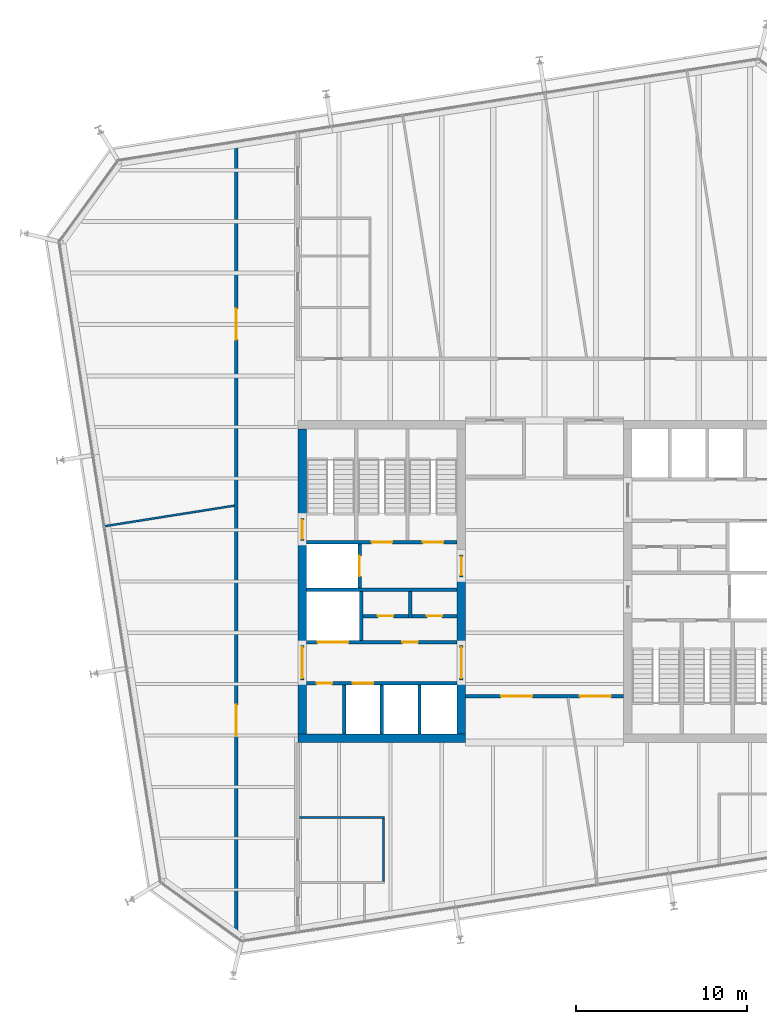
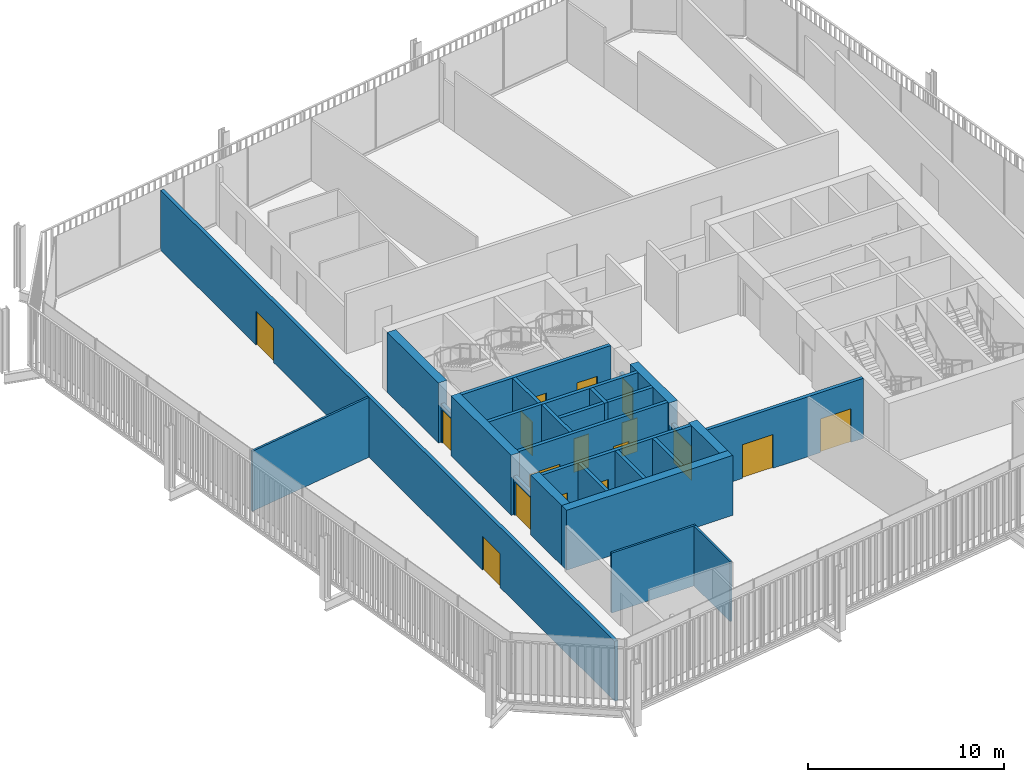
# One storey, part 16 of 20: 26 walls, 17 doors, 17 openings.
"""IFC4 building model written with IfcOpenShell, lengths in metres."""

from ifc_helpers import new_model, si_unit, direction, frame, frame_2d, origin, place, context, subcontext, project, spatial, rectangle, extrude, material, layer, layer_set, type_object, element, fill, save


model = new_model("IFC4")

# Units and contexts
model_context = context("Model", 3, precision=1e-05, world=origin(), true_north=direction((0.0, 1.0)))
body_context = subcontext(model_context, "Body", "Model", "MODEL_VIEW")
ifc_project = project(units=[si_unit("LENGTHUNIT", "METRE"), si_unit("AREAUNIT", "SQUARE_METRE"), si_unit("VOLUMEUNIT", "CUBIC_METRE"), si_unit("PLANEANGLEUNIT", "RADIAN"), si_unit("MASSUNIT", "GRAM", prefix="KILO")], contexts=[model_context])

# Site, building, storey
site_placement = place(None, origin())
site = spatial("IfcSite", under=ifc_project, at=site_placement, CompositionType="ELEMENT")
building_placement = place(site_placement, origin())
building = spatial("IfcBuilding", under=site, at=building_placement, Name="Millrace Tower", CompositionType="ELEMENT")
storey_placement = place(building_placement, frame((0.0, 0.0, 216.39990234375)))
storey = spatial("IfcBuildingStorey", under=building, at=storey_placement, Name="L49", CompositionType="ELEMENT", Elevation=216.39990234375)

# Walls
ifc_material_1 = material(Name="Concrete C60", Category="concrete")
ifc_layer_1 = layer(ifc_material_1, 0.5)
ifc_layer_set_1 = layer_set([ifc_layer_1], Name="Concrete C60")
wall_type_1 = type_object("IfcWallType", Name="Core wall 500 Concrete C60", PredefinedType="SHEAR", material=ifc_layer_set_1)
wall_1_placement = place(storey_placement, frame((-14.39990234375, -9.14990234375, 0.0), z_axis=(0.0, 0.0, 1.0), x_axis=(1.0, 0.0, 0.0)))
element("IfcWall", 1, at=wall_1_placement, inside=storey, type_object=wall_type_1, Name="Core wall W L49", PredefinedType="SHEAR", context=body_context, shape_type="SweptSolid", body=[
    extrude(rectangle(XDim=9.7998046875, YDim=0.5, at=frame_2d((4.89990234375, 0.0))), origin(), (0.0, 0.0, 1.0), 3.739990234375),
])
wall_2_placement = place(storey_placement, frame((-14.14990234375, -8.89990234375, 0.0), z_axis=(0.0, 0.0, 1.0), x_axis=(0.0, 1.0, 0.0)))
element("IfcWall", 2, at=wall_2_placement, inside=storey, type_object=wall_type_1, Name="Core wall W L49", PredefinedType="SHEAR", context=body_context, shape_type="SweptSolid", body=[
    extrude(rectangle(XDim=3.14990234375, YDim=0.5, at=frame_2d((1.574951171875, 0.0))), origin(), (0.0, 0.0, 1.0), 3.739990234375),
])
wall_3_placement = place(storey_placement, frame((-14.14990234375, -3.75, 0.0), z_axis=(0.0, 0.0, 1.0), x_axis=(0.0, 1.0, 0.0)))
element("IfcWall", 3, at=wall_3_placement, inside=storey, type_object=wall_type_1, Name="Core wall W L49", PredefinedType="SHEAR", context=body_context, shape_type="SweptSolid", body=[
    extrude(rectangle(XDim=6.1298828125, YDim=0.5, at=frame_2d((3.06494140625, 0.0))), origin(), (0.0, 0.0, 1.0), 3.739990234375),
])
wall_4_placement = place(storey_placement, frame((-14.14990234375, 3.679931640625, 0.0), z_axis=(0.0, 0.0, 1.0), x_axis=(0.0, 1.0, 0.0)))
element("IfcWall", 4, at=wall_4_placement, inside=storey, type_object=wall_type_1, Name="Core wall W L49", PredefinedType="SHEAR", context=body_context, shape_type="SweptSolid", body=[
    extrude(rectangle(XDim=5.219970703125, YDim=0.5, at=frame_2d((2.60986328125, 0.0))), origin(), (0.0, 0.0, 1.0), 3.739990234375),
])
wall_5_placement = place(storey_placement, frame((-4.85009765625, -8.89990234375, 0.0), z_axis=(0.0, 0.0, 1.0), x_axis=(0.0, 1.0, 0.0)))
element("IfcWall", 5, at=wall_5_placement, inside=storey, type_object=wall_type_1, Name="Core wall W L49", PredefinedType="SHEAR", context=body_context, shape_type="SweptSolid", body=[
    extrude(rectangle(XDim=3.14990234375, YDim=0.5, at=frame_2d((1.574951171875, 0.0))), origin(), (0.0, 0.0, 1.0), 3.739990234375),
])
wall_6_placement = place(storey_placement, frame((-4.85009765625, -3.75, 0.0), z_axis=(0.0, 0.0, 1.0), x_axis=(0.0, 1.0, 0.0)))
element("IfcWall", 6, at=wall_6_placement, inside=storey, type_object=wall_type_1, Name="Core wall W L49", PredefinedType="SHEAR", context=body_context, shape_type="SweptSolid", body=[
    extrude(rectangle(XDim=4.0, YDim=0.5, at=frame_2d((2.0, 0.0))), origin(), (0.0, 0.0, 1.0), 3.739990234375),
])

# Wall, openings, doors
ifc_material_2 = material(Name="Masonry partition, fire-rated", Category="masonry")
ifc_layer_2 = layer(ifc_material_2, 0.199951171875)
ifc_layer_set_2 = layer_set([ifc_layer_2], Name="Masonry partition, fire-rated")
wall_type_2 = type_object("IfcWallType", Name="Corridor wall 200", PredefinedType="PARTITIONING", material=ifc_layer_set_2)
wall_7_placement = place(storey_placement, frame((-4.60009765625, -6.699951171875, 0.0), z_axis=(0.0, 0.0, 1.0), x_axis=(1.0, 0.0, 0.0)))
wall_7 = element("IfcWall", 7, at=wall_7_placement, inside=storey, type_object=wall_type_2, Name="Corridor wall L49", PredefinedType="PARTITIONING", context=body_context, shape_type="SweptSolid", body=[
    extrude(rectangle(XDim=9.2001953125, YDim=0.199951171875, at=frame_2d((4.60009765625, 0.0))), origin(), (0.0, 0.0, 1.0), 3.739990234375),
])
opening_1_placement = place(wall_7_placement, frame((2.070068359375, 0.0, 0.0)))
opening_1 = element("IfcOpeningElement", 8, at=opening_1_placement, cuts=wall_7, Name="Opening 49-P014", PredefinedType="OPENING", context=body_context, shape_type="SweptSolid", body=[
    extrude(rectangle(XDim=1.800048828125, YDim=2.10009765625, at=frame_2d((0.89990234375, 1.050048828125))), frame((0.0, 0.10986328125, 0.0), z_axis=(0.0, -1.0, 0.0), x_axis=(1.0, 0.0, 0.0)), (0.0, 0.0, 1.0), 0.219970703125),
])
opening_2_placement = place(wall_7_placement, frame((6.669921875, 0.0, 0.0)))
opening_2 = element("IfcOpeningElement", 9, at=opening_2_placement, cuts=wall_7, Name="Opening 49-P017", PredefinedType="OPENING", context=body_context, shape_type="SweptSolid", body=[
    extrude(rectangle(XDim=1.800048828125, YDim=2.10009765625, at=frame_2d((0.89990234375, 1.050048828125))), frame((0.0, 0.10986328125, 0.0), z_axis=(0.0, -1.0, 0.0), x_axis=(1.0, 0.0, 0.0)), (0.0, 0.0, 1.0), 0.219970703125),
])
ifc_material_3 = material(Name="Steel door set, fire-rated", Category="steel")
door_type_1 = type_object("IfcDoorType", Name="Corridor door 1800 x 2100", OperationType="DOUBLE_DOOR_SINGLE_SWING", PredefinedType="DOOR", material=ifc_material_3)
door_1_placement = place(opening_1_placement, origin())
door_1 = element("IfcDoor", 10, at=door_1_placement, inside=storey, type_object=door_type_1, Name="Door 49-P014", OperationType="DOUBLE_DOOR_SINGLE_SWING", OverallHeight=2.10009765625, OverallWidth=1.800048828125, PredefinedType="DOOR", context=body_context, shape_type="SweptSolid", body=[
    extrude(rectangle(XDim=1.800048828125, YDim=2.10009765625, at=frame_2d((0.89990234375, 1.050048828125))), frame((0.0, 0.02490234375, 0.0), z_axis=(0.0, -1.0, 0.0), x_axis=(1.0, 0.0, 0.0)), (0.0, 0.0, 1.0), 0.050048828125),
])
fill(opening_1, door_1)
door_2_placement = place(opening_2_placement, frame((1.800048828125, 0.0, 0.0), z_axis=(0.0, 0.0, 1.0), x_axis=(-1.0, 0.0, 0.0)))
door_2 = element("IfcDoor", 11, at=door_2_placement, inside=storey, type_object=door_type_1, Name="Door 49-P017", OperationType="DOUBLE_DOOR_SINGLE_SWING", OverallHeight=2.10009765625, OverallWidth=1.800048828125, PredefinedType="DOOR", context=body_context, shape_type="SweptSolid", body=[
    extrude(rectangle(XDim=1.800048828125, YDim=2.10009765625, at=frame_2d((0.89990234375, 1.050048828125))), frame((0.0, 0.02490234375, 0.0), z_axis=(0.0, -1.0, 0.0), x_axis=(1.0, 0.0, 0.0)), (0.0, 0.0, 1.0), 0.050048828125),
])
fill(opening_2, door_2)

wall_8_placement = place(storey_placement, frame((-18.0, -20.72021484375, 0.0), z_axis=(0.0, 0.0, 1.0), x_axis=(0.0, 1.0, 0.0)))
wall_8 = element("IfcWall", 12, at=wall_8_placement, inside=storey, type_object=wall_type_2, Name="Corridor wall L49", PredefinedType="PARTITIONING", context=body_context, shape_type="SweptSolid", body=[
    extrude(rectangle(XDim=46.34814453125, YDim=0.199951171875, at=frame_2d((23.174072265625, 0.0))), origin(), (0.0, 0.0, 1.0), 3.739990234375),
])
opening_3_placement = place(wall_8_placement, frame((11.709716796875, 0.0, 0.0)))
opening_3 = element("IfcOpeningElement", 13, at=opening_3_placement, cuts=wall_8, Name="Opening 49-P003", PredefinedType="OPENING", context=body_context, shape_type="SweptSolid", body=[
    extrude(rectangle(XDim=1.800048828125, YDim=2.10009765625, at=frame_2d((0.89990234375, 1.050048828125))), frame((0.0, 0.10986328125, 0.0), z_axis=(0.0, -1.0, 0.0), x_axis=(1.0, 0.0, 0.0)), (0.0, 0.0, 1.0), 0.219970703125),
])
opening_4_placement = place(wall_8_placement, frame((34.8271484375, 0.0, 0.0)))
opening_4 = element("IfcOpeningElement", 14, at=opening_4_placement, cuts=wall_8, Name="Opening 49-P004", PredefinedType="OPENING", context=body_context, shape_type="SweptSolid", body=[
    extrude(rectangle(XDim=1.800048828125, YDim=2.10009765625, at=frame_2d((0.89990234375, 1.050048828125))), frame((0.0, 0.10986328125, 0.0), z_axis=(0.0, -1.0, 0.0), x_axis=(1.0, 0.0, 0.0)), (0.0, 0.0, 1.0), 0.219970703125),
])
door_3_placement = place(opening_3_placement, origin())
door_3 = element("IfcDoor", 15, at=door_3_placement, inside=storey, type_object=door_type_1, Name="Door 49-P003", OperationType="DOUBLE_DOOR_SINGLE_SWING", OverallHeight=2.10009765625, OverallWidth=1.800048828125, PredefinedType="DOOR", context=body_context, shape_type="SweptSolid", body=[
    extrude(rectangle(XDim=1.800048828125, YDim=2.10009765625, at=frame_2d((0.89990234375, 1.050048828125))), frame((0.0, 0.02490234375, 0.0), z_axis=(0.0, -1.0, 0.0), x_axis=(1.0, 0.0, 0.0)), (0.0, 0.0, 1.0), 0.050048828125),
])
fill(opening_3, door_3)
door_4_placement = place(opening_4_placement, frame((1.800048828125, 0.0, 0.0), z_axis=(0.0, 0.0, 1.0), x_axis=(-1.0, 0.0, 0.0)))
door_4 = element("IfcDoor", 16, at=door_4_placement, inside=storey, type_object=door_type_1, Name="Door 49-P004", OperationType="DOUBLE_DOOR_SINGLE_SWING", OverallHeight=2.10009765625, OverallWidth=1.800048828125, PredefinedType="DOOR", context=body_context, shape_type="SweptSolid", body=[
    extrude(rectangle(XDim=1.800048828125, YDim=2.10009765625, at=frame_2d((0.89990234375, 1.050048828125))), frame((0.0, 0.02490234375, 0.0), z_axis=(0.0, -1.0, 0.0), x_axis=(1.0, 0.0, 0.0)), (0.0, 0.0, 1.0), 0.050048828125),
])
fill(opening_4, door_4)

ifc_material_4 = material(Name="Masonry partition, fire-rated", Category="masonry")
ifc_layer_3 = layer(ifc_material_4, 0.199951171875)
ifc_layer_set_3 = layer_set([ifc_layer_3], Name="Masonry partition, fire-rated")
wall_type_3 = type_object("IfcWallType", Name="Lift shaft wall 200", PredefinedType="PARTITIONING", material=ifc_layer_set_3)
wall_9_placement = place(storey_placement, frame((-13.89990234375, -5.949951171875, 0.0), z_axis=(0.0, 0.0, 1.0), x_axis=(1.0, 0.0, 0.0)))
wall_9 = element("IfcWall", 17, at=wall_9_placement, inside=storey, type_object=wall_type_3, Name="Lift shaft wall W L49", PredefinedType="PARTITIONING", context=body_context, shape_type="SweptSolid", body=[
    extrude(rectangle(XDim=8.7998046875, YDim=0.199951171875, at=frame_2d((4.39990234375, 0.0))), origin(), (0.0, 0.0, 1.0), 3.739990234375),
])
opening_5_placement = place(wall_9_placement, frame((2.699951171875, 0.0, 0.0)))
opening_5 = element("IfcOpeningElement", 18, at=opening_5_placement, cuts=wall_9, Name="Opening 49-LD02", PredefinedType="OPENING", context=body_context, shape_type="SweptSolid", body=[
    extrude(rectangle(XDim=1.199951171875, YDim=2.10009765625, at=frame_2d((0.60009765625, 1.050048828125))), frame((0.0, 0.10986328125, 0.0), z_axis=(0.0, -1.0, 0.0), x_axis=(1.0, 0.0, 0.0)), (0.0, 0.0, 1.0), 0.219970703125),
])
opening_6_placement = place(wall_9_placement, frame((0.60009765625, 0.0, 0.0)))
opening_6 = element("IfcOpeningElement", 19, at=opening_6_placement, cuts=wall_9, Name="Opening 49-C005", PredefinedType="OPENING", context=body_context, shape_type="SweptSolid", body=[
    extrude(rectangle(XDim=0.89990234375, YDim=2.10009765625, at=frame_2d((0.449951171875, 1.050048828125))), frame((0.0, 0.10986328125, 0.0), z_axis=(0.0, -1.0, 0.0), x_axis=(1.0, 0.0, 0.0)), (0.0, 0.0, 1.0), 0.219970703125),
])
ifc_material_5 = material(Name="Stainless steel, fire-rated", Category="steel")
door_type_2 = type_object("IfcDoorType", Name="Lift landing door 1200 x 2100", OperationType="DOUBLE_DOOR_SLIDING", PredefinedType="DOOR", material=ifc_material_5)
door_5_placement = place(opening_5_placement, origin())
door_5 = element("IfcDoor", 20, at=door_5_placement, inside=storey, type_object=door_type_2, Name="Lift landing door LF2 L49", OperationType="DOUBLE_DOOR_SLIDING", OverallHeight=2.10009765625, OverallWidth=1.199951171875, PredefinedType="DOOR", context=body_context, shape_type="SweptSolid", body=[
    extrude(rectangle(XDim=1.199951171875, YDim=2.10009765625, at=frame_2d((0.60009765625, 1.050048828125))), frame((0.0, 0.02490234375, 0.0), z_axis=(0.0, -1.0, 0.0), x_axis=(1.0, 0.0, 0.0)), (0.0, 0.0, 1.0), 0.050048828125),
])
fill(opening_5, door_5)
ifc_material_6 = material(Name="Steel door, fire-rated", Category="steel")
door_type_3 = type_object("IfcDoorType", Name="Service room door 900 x 2100", OperationType="SINGLE_SWING_LEFT", PredefinedType="DOOR", material=ifc_material_6)
door_6_placement = place(opening_6_placement, frame((0.89990234375, 0.0, 0.0), z_axis=(0.0, 0.0, 1.0), x_axis=(-1.0, 0.0, 0.0)))
door_6 = element("IfcDoor", 21, at=door_6_placement, inside=storey, type_object=door_type_3, Name="Service room door 49-C005", OperationType="SINGLE_SWING_RIGHT", OverallHeight=2.10009765625, OverallWidth=0.89990234375, PredefinedType="DOOR", context=body_context, shape_type="SweptSolid", body=[
    extrude(rectangle(XDim=0.89990234375, YDim=2.10009765625, at=frame_2d((0.449951171875, 1.050048828125))), frame((0.0, 0.02490234375, 0.0), z_axis=(0.0, -1.0, 0.0), x_axis=(1.0, 0.0, 0.0)), (0.0, 0.0, 1.0), 0.050048828125),
])
fill(opening_6, door_6)

wall_10_placement = place(storey_placement, frame((-13.89990234375, -3.550048828125, 0.0), z_axis=(0.0, 0.0, 1.0), x_axis=(1.0, 0.0, 0.0)))
wall_10 = element("IfcWall", 22, at=wall_10_placement, inside=storey, type_object=wall_type_3, Name="Lift shaft wall W L49", PredefinedType="PARTITIONING", context=body_context, shape_type="SweptSolid", body=[
    extrude(rectangle(XDim=8.7998046875, YDim=0.199951171875, at=frame_2d((4.39990234375, 0.0))), origin(), (0.0, 0.0, 1.0), 3.739990234375),
])
opening_7_placement = place(wall_10_placement, frame((0.64990234375, 0.0, 0.0)))
opening_7 = element("IfcOpeningElement", 23, at=opening_7_placement, cuts=wall_10, Name="Opening 49-LD05", PredefinedType="OPENING", context=body_context, shape_type="SweptSolid", body=[
    extrude(rectangle(XDim=1.800048828125, YDim=2.10009765625, at=frame_2d((0.89990234375, 1.050048828125))), frame((0.0, 0.10986328125, 0.0), z_axis=(0.0, -1.0, 0.0), x_axis=(1.0, 0.0, 0.0)), (0.0, 0.0, 1.0), 0.219970703125),
])
opening_8_placement = place(wall_10_placement, frame((5.60009765625, 0.0, 0.0)))
opening_8 = element("IfcOpeningElement", 24, at=opening_8_placement, cuts=wall_10, Name="Opening 49-C006", PredefinedType="OPENING", context=body_context, shape_type="SweptSolid", body=[
    extrude(rectangle(XDim=0.89990234375, YDim=2.10009765625, at=frame_2d((0.449951171875, 1.050048828125))), frame((0.0, 0.10986328125, 0.0), z_axis=(0.0, -1.0, 0.0), x_axis=(1.0, 0.0, 0.0)), (0.0, 0.0, 1.0), 0.219970703125),
])
ifc_material_7 = material(Name="Stainless steel, fire-rated", Category="steel")
door_type_4 = type_object("IfcDoorType", Name="Lift landing door 1800 x 2100", OperationType="DOUBLE_DOOR_SLIDING", PredefinedType="DOOR", material=ifc_material_7)
door_7_placement = place(opening_7_placement, origin())
door_7 = element("IfcDoor", 25, at=door_7_placement, inside=storey, type_object=door_type_4, Name="Lift landing door LF5 L49", OperationType="DOUBLE_DOOR_SLIDING", OverallHeight=2.10009765625, OverallWidth=1.800048828125, PredefinedType="DOOR", context=body_context, shape_type="SweptSolid", body=[
    extrude(rectangle(XDim=1.800048828125, YDim=2.10009765625, at=frame_2d((0.89990234375, 1.050048828125))), frame((0.0, 0.02490234375, 0.0), z_axis=(0.0, -1.0, 0.0), x_axis=(1.0, 0.0, 0.0)), (0.0, 0.0, 1.0), 0.050048828125),
])
fill(opening_7, door_7)
door_8_placement = place(opening_8_placement, frame((0.89990234375, 0.0, 0.0), z_axis=(0.0, 0.0, 1.0), x_axis=(-1.0, 0.0, 0.0)))
door_8 = element("IfcDoor", 26, at=door_8_placement, inside=storey, type_object=door_type_3, Name="Service room door 49-C006", OperationType="SINGLE_SWING_LEFT", OverallHeight=2.10009765625, OverallWidth=0.89990234375, PredefinedType="DOOR", context=body_context, shape_type="SweptSolid", body=[
    extrude(rectangle(XDim=0.89990234375, YDim=2.10009765625, at=frame_2d((0.449951171875, 1.050048828125))), frame((0.0, 0.02490234375, 0.0), z_axis=(0.0, -1.0, 0.0), x_axis=(1.0, 0.0, 0.0)), (0.0, 0.0, 1.0), 0.050048828125),
])
fill(opening_8, door_8)

# Wall
wall_11_placement = place(storey_placement, frame((-13.89990234375, -0.5, 0.0), z_axis=(0.0, 0.0, 1.0), x_axis=(1.0, 0.0, 0.0)))
element("IfcWall", 27, at=wall_11_placement, inside=storey, type_object=wall_type_3, Name="Lift shaft wall W L49", PredefinedType="PARTITIONING", context=body_context, shape_type="SweptSolid", body=[
    extrude(rectangle(XDim=8.7998046875, YDim=0.199951171875, at=frame_2d((4.39990234375, 0.0))), origin(), (0.0, 0.0, 1.0), 3.739990234375),
])

# Wall, opening, door
wall_12_placement = place(storey_placement, frame((-10.800048828125, -0.39990234375, 0.0), z_axis=(0.0, 0.0, 1.0), x_axis=(0.0, 1.0, 0.0)))
wall_12 = element("IfcWall", 28, at=wall_12_placement, inside=storey, type_object=wall_type_3, Name="Lift shaft wall W L49", PredefinedType="PARTITIONING", context=body_context, shape_type="SweptSolid", body=[
    extrude(rectangle(XDim=2.579833984375, YDim=0.199951171875, at=frame_2d((1.2900390625, 0.0))), origin(), (0.0, 0.0, 1.0), 3.739990234375),
])
opening_9_placement = place(wall_12_placement, frame((0.68994140625, 0.0, 0.0)))
opening_9 = element("IfcOpeningElement", 29, at=opening_9_placement, cuts=wall_12, Name="Opening 49-LD08", PredefinedType="OPENING", context=body_context, shape_type="SweptSolid", body=[
    extrude(rectangle(XDim=1.199951171875, YDim=2.10009765625, at=frame_2d((0.60009765625, 1.050048828125))), frame((0.0, 0.10986328125, 0.0), z_axis=(0.0, -1.0, 0.0), x_axis=(1.0, 0.0, 0.0)), (0.0, 0.0, 1.0), 0.219970703125),
])
door_9_placement = place(opening_9_placement, origin())
door_9 = element("IfcDoor", 30, at=door_9_placement, inside=storey, type_object=door_type_2, Name="Lift landing door LF8 L49", OperationType="DOUBLE_DOOR_SLIDING", OverallHeight=2.10009765625, OverallWidth=1.199951171875, PredefinedType="DOOR", context=body_context, shape_type="SweptSolid", body=[
    extrude(rectangle(XDim=1.199951171875, YDim=2.10009765625, at=frame_2d((0.60009765625, 1.050048828125))), frame((0.0, 0.02490234375, 0.0), z_axis=(0.0, -1.0, 0.0), x_axis=(1.0, 0.0, 0.0)), (0.0, 0.0, 1.0), 0.050048828125),
])
fill(opening_9, door_9)

# Walls
for number, where, z_axis, x_axis, name in (
    (31, (-11.699951171875, -8.89990234375, 0.0), (0.0, 0.0, 1.0), (0.0, 1.0, 0.0), "Lift shaft wall W L49"),
    (32, (-9.5, -8.89990234375, 0.0), (0.0, 0.0, 1.0), (0.0, 1.0, 0.0), "Lift shaft wall W L49"),
    (33, (-7.300048828125, -8.89990234375, 0.0), (0.0, 0.0, 1.0), (0.0, 1.0, 0.0), "Lift shaft wall W L49"),
    (34, (-10.699951171875, -3.449951171875, 0.0), (0.0, 0.0, 1.0), (0.0, 1.0, 0.0), "Lift shaft wall W L49"),
):
    element("IfcWall", number, at=place(storey_placement, frame(where, z_axis=z_axis, x_axis=x_axis)), inside=storey, type_object=wall_type_3, Name=name, PredefinedType="PARTITIONING", context=body_context, shape_type="SweptSolid", body=[
        extrude(rectangle(XDim=2.849853515625, YDim=0.199951171875, at=frame_2d((1.4248046875, 0.0))), origin(), (0.0, 0.0, 1.0), 3.739990234375),
    ])

# Wall, opening, door
ifc_material_8 = material(Name="Masonry partition, fire-rated", Category="masonry")
ifc_layer_4 = layer(ifc_material_8, 0.199951171875)
ifc_layer_set_4 = layer_set([ifc_layer_4], Name="Masonry partition, fire-rated")
wall_type_4 = type_object("IfcWallType", Name="Lobby wall 200", PredefinedType="PARTITIONING", material=ifc_layer_set_4)
wall_13_placement = place(storey_placement, frame((-14.14990234375, -5.75, 0.0), z_axis=(0.0, 0.0, 1.0), x_axis=(0.0, 1.0, 0.0)))
wall_13 = element("IfcWall", 35, at=wall_13_placement, inside=storey, type_object=wall_type_4, Name="Lobby wall W L49", PredefinedType="PARTITIONING", context=body_context, shape_type="SweptSolid", body=[
    extrude(rectangle(XDim=2.0, YDim=0.199951171875, at=frame_2d((1.0, 0.0))), origin(), (0.0, 0.0, 1.0), 2.400146484375),
])
opening_10_placement = place(wall_13_placement, frame((0.10009765625, 0.0, 0.0)))
opening_10 = element("IfcOpeningElement", 36, at=opening_10_placement, cuts=wall_13, Name="Opening 49-C001", PredefinedType="OPENING", context=body_context, shape_type="SweptSolid", body=[
    extrude(rectangle(XDim=1.800048828125, YDim=2.10009765625, at=frame_2d((0.89990234375, 1.050048828125))), frame((0.0, 0.10986328125, 0.0), z_axis=(0.0, -1.0, 0.0), x_axis=(1.0, 0.0, 0.0)), (0.0, 0.0, 1.0), 0.219970703125),
])
ifc_material_9 = material(Name="Steel door, fire-rated", Category="steel")
door_type_5 = type_object("IfcDoorType", Name="Lobby door 1800 x 2100", OperationType="DOUBLE_DOOR_SINGLE_SWING", PredefinedType="DOOR", material=ifc_material_9)
door_10_placement = place(opening_10_placement, origin())
door_10 = element("IfcDoor", 37, at=door_10_placement, inside=storey, type_object=door_type_5, Name="Lobby door 49-C001", OperationType="DOUBLE_DOOR_SINGLE_SWING", OverallHeight=2.10009765625, OverallWidth=1.800048828125, PredefinedType="DOOR", context=body_context, shape_type="SweptSolid", body=[
    extrude(rectangle(XDim=1.800048828125, YDim=2.10009765625, at=frame_2d((0.89990234375, 1.050048828125))), frame((0.0, 0.02490234375, 0.0), z_axis=(0.0, -1.0, 0.0), x_axis=(1.0, 0.0, 0.0)), (0.0, 0.0, 1.0), 0.050048828125),
])
fill(opening_10, door_10)

wall_14_placement = place(storey_placement, frame((-4.85009765625, -5.75, 0.0), z_axis=(0.0, 0.0, 1.0), x_axis=(0.0, 1.0, 0.0)))
wall_14 = element("IfcWall", 38, at=wall_14_placement, inside=storey, type_object=wall_type_4, Name="Lobby wall W L49", PredefinedType="PARTITIONING", context=body_context, shape_type="SweptSolid", body=[
    extrude(rectangle(XDim=2.0, YDim=0.199951171875, at=frame_2d((1.0, 0.0))), origin(), (0.0, 0.0, 1.0), 2.400146484375),
])
opening_11_placement = place(wall_14_placement, frame((0.10009765625, 0.0, 0.0)))
opening_11 = element("IfcOpeningElement", 39, at=opening_11_placement, cuts=wall_14, Name="Opening 49-C003", PredefinedType="OPENING", context=body_context, shape_type="SweptSolid", body=[
    extrude(rectangle(XDim=1.800048828125, YDim=2.10009765625, at=frame_2d((0.89990234375, 1.050048828125))), frame((0.0, 0.10986328125, 0.0), z_axis=(0.0, -1.0, 0.0), x_axis=(1.0, 0.0, 0.0)), (0.0, 0.0, 1.0), 0.219970703125),
])
door_11_placement = place(opening_11_placement, frame((1.800048828125, 0.0, 0.0), z_axis=(0.0, 0.0, 1.0), x_axis=(-1.0, 0.0, 0.0)))
door_11 = element("IfcDoor", 40, at=door_11_placement, inside=storey, type_object=door_type_5, Name="Lobby door 49-C003", OperationType="DOUBLE_DOOR_SINGLE_SWING", OverallHeight=2.10009765625, OverallWidth=1.800048828125, PredefinedType="DOOR", context=body_context, shape_type="SweptSolid", body=[
    extrude(rectangle(XDim=1.800048828125, YDim=2.10009765625, at=frame_2d((0.89990234375, 1.050048828125))), frame((0.0, 0.02490234375, 0.0), z_axis=(0.0, -1.0, 0.0), x_axis=(1.0, 0.0, 0.0)), (0.0, 0.0, 1.0), 0.050048828125),
])
fill(opening_11, door_11)

wall_15_placement = place(storey_placement, frame((-4.85009765625, 0.25, 0.0), z_axis=(0.0, 0.0, 1.0), x_axis=(0.0, 1.0, 0.0)))
wall_15 = element("IfcWall", 41, at=wall_15_placement, inside=storey, type_object=wall_type_4, Name="Lobby wall W L49", PredefinedType="PARTITIONING", context=body_context, shape_type="SweptSolid", body=[
    extrude(rectangle(XDim=1.300048828125, YDim=0.199951171875, at=frame_2d((0.64990234375, 0.0))), origin(), (0.0, 0.0, 1.0), 2.400146484375),
])
opening_12_placement = place(wall_15_placement, frame((0.10009765625, 0.0, 0.0)))
opening_12 = element("IfcOpeningElement", 42, at=opening_12_placement, cuts=wall_15, Name="Opening 49-C004", PredefinedType="OPENING", context=body_context, shape_type="SweptSolid", body=[
    extrude(rectangle(XDim=1.10009765625, YDim=2.10009765625, at=frame_2d((0.550048828125, 1.050048828125))), frame((0.0, 0.10986328125, 0.0), z_axis=(0.0, -1.0, 0.0), x_axis=(1.0, 0.0, 0.0)), (0.0, 0.0, 1.0), 0.219970703125),
])
ifc_material_10 = material(Name="Steel door, fire-rated", Category="steel")
door_type_6 = type_object("IfcDoorType", Name="Lobby door 1100 x 2100", OperationType="SINGLE_SWING_LEFT", PredefinedType="DOOR", material=ifc_material_10)
door_12_placement = place(opening_12_placement, frame((1.10009765625, 0.0, 0.0), z_axis=(0.0, 0.0, 1.0), x_axis=(-1.0, 0.0, 0.0)))
door_12 = element("IfcDoor", 43, at=door_12_placement, inside=storey, type_object=door_type_6, Name="Lobby door 49-C004", OperationType="SINGLE_SWING_RIGHT", OverallHeight=2.10009765625, OverallWidth=1.10009765625, PredefinedType="DOOR", context=body_context, shape_type="SweptSolid", body=[
    extrude(rectangle(XDim=1.10009765625, YDim=2.10009765625, at=frame_2d((0.550048828125, 1.050048828125))), frame((0.0, 0.02490234375, 0.0), z_axis=(0.0, -1.0, 0.0), x_axis=(1.0, 0.0, 0.0)), (0.0, 0.0, 1.0), 0.050048828125),
])
fill(opening_12, door_12)

# Walls
ifc_material_11 = material(Name="Gypsum board partition")
ifc_layer_5 = layer(ifc_material_11, 0.1201171875)
ifc_layer_set_5 = layer_set([ifc_layer_5], Name="Gypsum board partition")
wall_type_5 = type_object("IfcWallType", Name="Partition wall 120", PredefinedType="PARTITIONING", material=ifc_layer_set_5)
wall_16_placement = place(storey_placement, frame((-14.300048828125, -13.784912109375, 0.0), z_axis=(0.0, 0.0, 1.0), x_axis=(1.0, 0.0, 0.0)))
element("IfcWall", 44, at=wall_16_placement, inside=storey, type_object=wall_type_5, Name="Partition wall L49", PredefinedType="PARTITIONING", context=body_context, shape_type="SweptSolid", body=[
    extrude(rectangle(XDim=4.9599609375, YDim=0.1201171875, at=frame_2d((2.47998046875, 0.0))), origin(), (0.0, 0.0, 1.0), 3.739990234375),
])
wall_17_placement = place(storey_placement, frame((-25.675048828125, 3.22119140625, 0.0), z_axis=(0.0, 0.0, 1.0), x_axis=(0.98768335333, 0.156465950147, 0.0)))
element("IfcWall", 45, at=wall_17_placement, inside=storey, type_object=wall_type_5, Name="Partition wall L49", PredefinedType="PARTITIONING", context=body_context, shape_type="SweptSolid", body=[
    extrude(rectangle(XDim=7.670654296875, YDim=0.1201171875, at=frame_2d((3.83544921875, 0.0))), origin(), (0.0, 0.0, 1.0), 3.739990234375),
])
wall_18_placement = place(storey_placement, frame((-9.39990234375, -17.52490234375, 0.0), z_axis=(0.0, 0.0, 1.0), x_axis=(0.0, 1.0, 0.0)))
element("IfcWall", 46, at=wall_18_placement, inside=storey, type_object=wall_type_5, Name="Partition wall L49", PredefinedType="PARTITIONING", context=body_context, shape_type="SweptSolid", body=[
    extrude(rectangle(XDim=3.679931640625, YDim=0.1201171875, at=frame_2d((1.83984375, 0.0))), origin(), (0.0, 0.0, 1.0), 3.739990234375),
])

# Wall, openings, doors
ifc_material_12 = material(Name="Masonry partition, fire-rated", Category="masonry")
ifc_layer_6 = layer(ifc_material_12, 0.199951171875)
ifc_layer_set_6 = layer_set([ifc_layer_6], Name="Masonry partition, fire-rated")
wall_type_6 = type_object("IfcWallType", Name="Room partition 200", PredefinedType="PARTITIONING", material=ifc_layer_set_6)
wall_19_placement = place(storey_placement, frame((-10.60009765625, -2.02490234375, 0.0), z_axis=(0.0, 0.0, 1.0), x_axis=(1.0, 0.0, 0.0)))
wall_19 = element("IfcWall", 47, at=wall_19_placement, inside=storey, type_object=wall_type_6, Name="Room partition W L49", PredefinedType="PARTITIONING", context=body_context, shape_type="SweptSolid", body=[
    extrude(rectangle(XDim=5.5, YDim=0.199951171875, at=frame_2d((2.75, 0.0))), origin(), (0.0, 0.0, 1.0), 3.739990234375),
])
opening_13_placement = place(wall_19_placement, frame((0.875, 0.0, 0.0)))
opening_13 = element("IfcOpeningElement", 48, at=opening_13_placement, cuts=wall_19, Name="Opening 49-C007", PredefinedType="OPENING", context=body_context, shape_type="SweptSolid", body=[
    extrude(rectangle(XDim=0.89990234375, YDim=2.10009765625, at=frame_2d((0.449951171875, 1.050048828125))), frame((0.0, 0.10986328125, 0.0), z_axis=(0.0, -1.0, 0.0), x_axis=(1.0, 0.0, 0.0)), (0.0, 0.0, 1.0), 0.219970703125),
])
opening_14_placement = place(wall_19_placement, frame((3.72509765625, 0.0, 0.0)))
opening_14 = element("IfcOpeningElement", 49, at=opening_14_placement, cuts=wall_19, Name="Opening 49-C008", PredefinedType="OPENING", context=body_context, shape_type="SweptSolid", body=[
    extrude(rectangle(XDim=0.89990234375, YDim=2.10009765625, at=frame_2d((0.449951171875, 1.050048828125))), frame((0.0, 0.10986328125, 0.0), z_axis=(0.0, -1.0, 0.0), x_axis=(1.0, 0.0, 0.0)), (0.0, 0.0, 1.0), 0.219970703125),
])
door_13_placement = place(opening_13_placement, origin())
door_13 = element("IfcDoor", 50, at=door_13_placement, inside=storey, type_object=door_type_3, Name="Service room door 49-C007", OperationType="SINGLE_SWING_LEFT", OverallHeight=2.10009765625, OverallWidth=0.89990234375, PredefinedType="DOOR", context=body_context, shape_type="SweptSolid", body=[
    extrude(rectangle(XDim=0.89990234375, YDim=2.10009765625, at=frame_2d((0.449951171875, 1.050048828125))), frame((0.0, 0.02490234375, 0.0), z_axis=(0.0, -1.0, 0.0), x_axis=(1.0, 0.0, 0.0)), (0.0, 0.0, 1.0), 0.050048828125),
])
fill(opening_13, door_13)
door_14_placement = place(opening_14_placement, origin())
door_14 = element("IfcDoor", 51, at=door_14_placement, inside=storey, type_object=door_type_3, Name="Service room door 49-C008", OperationType="SINGLE_SWING_RIGHT", OverallHeight=2.10009765625, OverallWidth=0.89990234375, PredefinedType="DOOR", context=body_context, shape_type="SweptSolid", body=[
    extrude(rectangle(XDim=0.89990234375, YDim=2.10009765625, at=frame_2d((0.449951171875, 1.050048828125))), frame((0.0, 0.02490234375, 0.0), z_axis=(0.0, -1.0, 0.0), x_axis=(1.0, 0.0, 0.0)), (0.0, 0.0, 1.0), 0.050048828125),
])
fill(opening_14, door_14)

# Wall
wall_20_placement = place(storey_placement, frame((-7.85009765625, -2.125, 0.0), z_axis=(0.0, 0.0, 1.0), x_axis=(0.0, 1.0, 0.0)))
element("IfcWall", 52, at=wall_20_placement, inside=storey, type_object=wall_type_6, Name="Room partition W L49", PredefinedType="PARTITIONING", context=body_context, shape_type="SweptSolid", body=[
    extrude(rectangle(XDim=1.52490234375, YDim=0.199951171875, at=frame_2d((0.762451171875, 0.0))), origin(), (0.0, 0.0, 1.0), 3.739990234375),
])

# Wall, opening, door
ifc_material_13 = material(Name="Concrete C40", Category="concrete")
ifc_layer_7 = layer(ifc_material_13, 0.199951171875)
ifc_layer_set_7 = layer_set([ifc_layer_7], Name="Concrete C40")
wall_type_7 = type_object("IfcWallType", Name="Stair enclosure wall 200 Concrete C40", PredefinedType="SHEAR", material=ifc_layer_set_7)
wall_21_placement = place(storey_placement, frame((-14.14990234375, 2.3798828125, 0.0), z_axis=(0.0, 0.0, 1.0), x_axis=(0.0, 1.0, 0.0)))
wall_21 = element("IfcWall", 53, at=wall_21_placement, inside=storey, type_object=wall_type_7, Name="Stair enclosure wall W L49", PredefinedType="SHEAR", context=body_context, shape_type="SweptSolid", body=[
    extrude(rectangle(XDim=1.300048828125, YDim=0.199951171875, at=frame_2d((0.64990234375, 0.0))), origin(), (0.0, 0.0, 1.0), 2.400146484375),
])
opening_15_placement = place(wall_21_placement, frame((0.10009765625, 0.0, 0.0)))
opening_15 = element("IfcOpeningElement", 54, at=opening_15_placement, cuts=wall_21, Name="Opening 49-C002", PredefinedType="OPENING", context=body_context, shape_type="SweptSolid", body=[
    extrude(rectangle(XDim=1.10009765625, YDim=2.10009765625, at=frame_2d((0.550048828125, 1.050048828125))), frame((0.0, 0.10986328125, 0.0), z_axis=(0.0, -1.0, 0.0), x_axis=(1.0, 0.0, 0.0)), (0.0, 0.0, 1.0), 0.219970703125),
])
ifc_material_14 = material(Name="Steel door, fire-rated", Category="steel")
door_type_7 = type_object("IfcDoorType", Name="Stair door 1100 x 2100", OperationType="SINGLE_SWING_LEFT", PredefinedType="DOOR", material=ifc_material_14)
door_15_placement = place(opening_15_placement, origin())
door_15 = element("IfcDoor", 55, at=door_15_placement, inside=storey, type_object=door_type_7, Name="Stair door 49-C002", OperationType="SINGLE_SWING_RIGHT", OverallHeight=2.10009765625, OverallWidth=1.10009765625, PredefinedType="DOOR", context=body_context, shape_type="SweptSolid", body=[
    extrude(rectangle(XDim=1.10009765625, YDim=2.10009765625, at=frame_2d((0.550048828125, 1.050048828125))), frame((0.0, 0.02490234375, 0.0), z_axis=(0.0, -1.0, 0.0), x_axis=(1.0, 0.0, 0.0)), (0.0, 0.0, 1.0), 0.050048828125),
])
fill(opening_15, door_15)

# Wall, openings, doors
wall_22_placement = place(storey_placement, frame((-13.89990234375, 2.280029296875, 0.0), z_axis=(0.0, 0.0, 1.0), x_axis=(1.0, 0.0, 0.0)))
wall_22 = element("IfcWall", 56, at=wall_22_placement, inside=storey, type_object=wall_type_7, Name="Stair enclosure wall W L49", PredefinedType="SHEAR", context=body_context, shape_type="SweptSolid", body=[
    extrude(rectangle(XDim=8.7998046875, YDim=0.199951171875, at=frame_2d((4.39990234375, 0.0))), origin(), (0.0, 0.0, 1.0), 3.739990234375),
])
opening_16_placement = place(wall_22_placement, frame((3.800048828125, 0.0, 0.0)))
opening_16 = element("IfcOpeningElement", 57, at=opening_16_placement, cuts=wall_22, Name="Opening 49-C009", PredefinedType="OPENING", context=body_context, shape_type="SweptSolid", body=[
    extrude(rectangle(XDim=1.199951171875, YDim=2.10009765625, at=frame_2d((0.60009765625, 1.050048828125))), frame((0.0, 0.10986328125, 0.0), z_axis=(0.0, -1.0, 0.0), x_axis=(1.0, 0.0, 0.0)), (0.0, 0.0, 1.0), 0.219970703125),
])
opening_17_placement = place(wall_22_placement, frame((6.800048828125, 0.0, 0.0)))
opening_17 = element("IfcOpeningElement", 58, at=opening_17_placement, cuts=wall_22, Name="Opening 49-C010", PredefinedType="OPENING", context=body_context, shape_type="SweptSolid", body=[
    extrude(rectangle(XDim=1.199951171875, YDim=2.10009765625, at=frame_2d((0.60009765625, 1.050048828125))), frame((0.0, 0.10986328125, 0.0), z_axis=(0.0, -1.0, 0.0), x_axis=(1.0, 0.0, 0.0)), (0.0, 0.0, 1.0), 0.219970703125),
])
ifc_material_15 = material(Name="Steel door, fire-rated", Category="steel")
door_type_8 = type_object("IfcDoorType", Name="Stair door 1200 x 2100", OperationType="SINGLE_SWING_LEFT", PredefinedType="DOOR", material=ifc_material_15)
door_16_placement = place(opening_16_placement, frame((1.199951171875, 0.0, 0.0), z_axis=(0.0, 0.0, 1.0), x_axis=(-1.0, 0.0, 0.0)))
door_16 = element("IfcDoor", 59, at=door_16_placement, inside=storey, type_object=door_type_8, Name="Stair door 49-C009", OperationType="SINGLE_SWING_LEFT", OverallHeight=2.10009765625, OverallWidth=1.199951171875, PredefinedType="DOOR", context=body_context, shape_type="SweptSolid", body=[
    extrude(rectangle(XDim=1.199951171875, YDim=2.10009765625, at=frame_2d((0.60009765625, 1.050048828125))), frame((0.0, 0.02490234375, 0.0), z_axis=(0.0, -1.0, 0.0), x_axis=(1.0, 0.0, 0.0)), (0.0, 0.0, 1.0), 0.050048828125),
])
fill(opening_16, door_16)
door_17_placement = place(opening_17_placement, frame((1.199951171875, 0.0, 0.0), z_axis=(0.0, 0.0, 1.0), x_axis=(-1.0, 0.0, 0.0)))
door_17 = element("IfcDoor", 60, at=door_17_placement, inside=storey, type_object=door_type_8, Name="Stair door 49-C010", OperationType="SINGLE_SWING_LEFT", OverallHeight=2.10009765625, OverallWidth=1.199951171875, PredefinedType="DOOR", context=body_context, shape_type="SweptSolid", body=[
    extrude(rectangle(XDim=1.199951171875, YDim=2.10009765625, at=frame_2d((0.60009765625, 1.050048828125))), frame((0.0, 0.02490234375, 0.0), z_axis=(0.0, -1.0, 0.0), x_axis=(1.0, 0.0, 0.0)), (0.0, 0.0, 1.0), 0.050048828125),
])
fill(opening_17, door_17)

save(model, "model.ifc")
